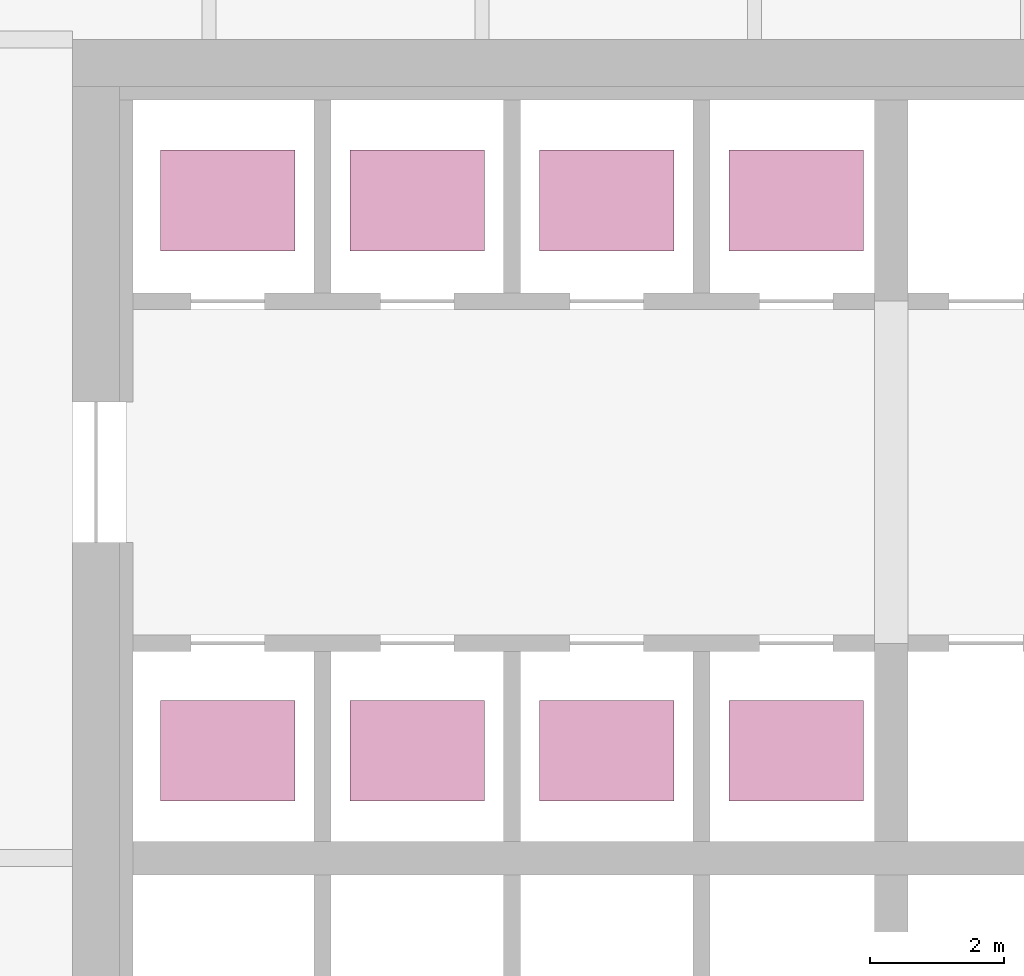
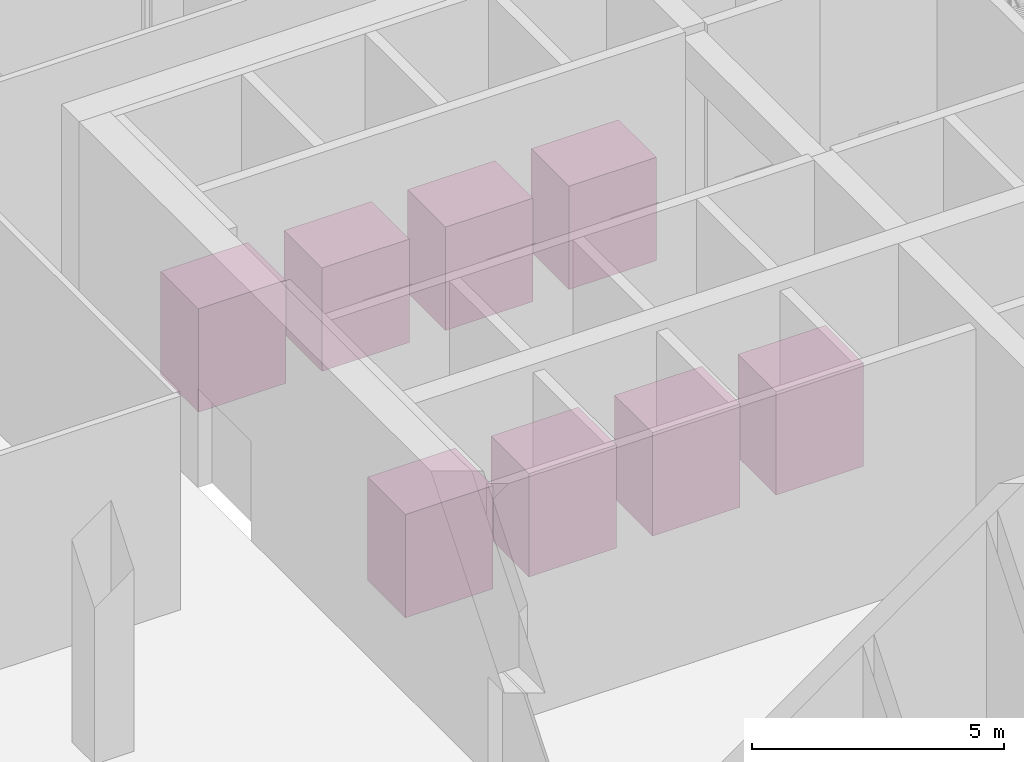
# One storey, part 36 of 36: 8 transport elements.
"""IFC4 building model written with IfcOpenShell, lengths in metres."""

import ifcopenshell
import ifcopenshell.guid

model = None  # the IFC model being written
_history = None  # IfcOwnerHistory: only IFC2X3 demands one
_inside = {}  # id of a spatial element -> (the spatial element, [elements in it])
_under = {}  # id of a project, library or spatial element -> (it, [spatial elements below it])
_declared = {}  # id of a project -> (the project, [libraries it declares])
_typed = {}  # id of a type object -> (the type object, [elements of that type])
_made_of = {}  # id of a material, layer set ... -> (it, [elements and type objects made of it])


def new_model(schema):
    """Start an empty IFC model of exactly this schema.

    Asked for "IFC4X3", IfcOpenShell would pick the latest addendum, in which some entities
    have other attributes; the version numbers below select the first issue.
    IFC2X3 requires an IfcOwnerHistory on every rooted entity: one is made here for all.
    """
    global model, _history
    if schema == "IFC4X3":
        model = ifcopenshell.file(schema_version=(4, 3, 0, 0))
    else:
        model = ifcopenshell.file(schema=schema)
    _inside.clear()
    _under.clear()
    _declared.clear()
    _typed.clear()
    _made_of.clear()
    _history = None
    if model.schema == "IFC2X3":
        org = make("IfcOrganization", Name="unknown")
        user = make(
            "IfcPersonAndOrganization",
            ThePerson=make("IfcPerson", FamilyName="unknown"),
            TheOrganization=org,
        )
        app = make(
            "IfcApplication",
            ApplicationDeveloper=org,
            Version="unknown",
            ApplicationFullName="unknown",
            ApplicationIdentifier="unknown",
        )
        _history = make(
            "IfcOwnerHistory",
            OwningUser=user,
            OwningApplication=app,
            ChangeAction="ADDED",
            CreationDate=0,
        )
    return model


def make(cls, **values):
    """One entity of the class cls with the attributes given. An attribute that is None is left unset."""
    return model.create_entity(
        cls, **{name: value for name, value in values.items() if value is not None}
    )


def rooted(cls, **values):
    """An entity with a GlobalId (a new one), such as an element, a storey or a relation."""
    return make(cls, GlobalId=ifcopenshell.guid.new(), OwnerHistory=_history, **values)


def si_unit(unit_type, name, prefix=None):
    """IfcSIUnit, for example si_unit("LENGTHUNIT", "METRE", prefix="MILLI")."""
    return make("IfcSIUnit", UnitType=unit_type, Prefix=prefix, Name=name)


def assignment(units):
    """IfcUnitAssignment: the units of a project."""
    return None if units is None else make("IfcUnitAssignment", Units=units)


def point(xyz):
    """IfcCartesianPoint."""
    return None if xyz is None else make("IfcCartesianPoint", Coordinates=xyz)


def direction(xyz):
    """IfcDirection."""
    return None if xyz is None else make("IfcDirection", DirectionRatios=xyz)


def frame(location, z_axis=None, x_axis=None):
    """IfcAxis2Placement3D, a coordinate frame: its origin and axes. An axis left out is left unset."""
    return make(
        "IfcAxis2Placement3D",
        Location=point(location),
        Axis=direction(z_axis),
        RefDirection=direction(x_axis),
    )


def frame_2d(location, x_axis=None):
    """IfcAxis2Placement2D, a coordinate frame in the plane: its origin and x axis."""
    return make(
        "IfcAxis2Placement2D", Location=point(location), RefDirection=direction(x_axis)
    )


def origin():
    """The frame at (0, 0, 0) with its axes left unset."""
    return frame((0.0, 0.0, 0.0))


def origin_2d():
    """The frame at (0, 0) in the plane with its x axis left unset."""
    return frame_2d((0.0, 0.0))


def place(relative_to, where):
    """IfcLocalPlacement: puts the frame where relative to a parent placement (None: the world)."""
    return make(
        "IfcLocalPlacement", PlacementRelTo=relative_to, RelativePlacement=where
    )


def context(
    kind, dimensions, precision=None, world=None, true_north=None, identifier=None
):
    """IfcGeometricRepresentationContext, for example the 3D "Model" context."""
    return make(
        "IfcGeometricRepresentationContext",
        ContextIdentifier=identifier,
        ContextType=kind,
        CoordinateSpaceDimension=dimensions,
        Precision=precision,
        WorldCoordinateSystem=world,
        TrueNorth=true_north,
    )


def subcontext(parent, identifier, kind, view, scale=None):
    """IfcGeometricRepresentationSubContext, for example "Body" below "Model"."""
    return make(
        "IfcGeometricRepresentationSubContext",
        ContextIdentifier=identifier,
        ContextType=kind,
        ParentContext=parent,
        TargetScale=scale,
        TargetView=view,
    )


def project(units=None, contexts=None):
    """IfcProject with its units and contexts."""
    return rooted(
        "IfcProject",
        Name="project",
        RepresentationContexts=contexts,
        UnitsInContext=assignment(units),
    )


def spatial(cls, under=None, at=None, **own):
    """A site, building, storey or space (cls), placed at a placement, below another one or the project."""
    s = rooted(cls, ObjectPlacement=at, **own)
    if under is not None:
        _under.setdefault(under.id(), (under, []))[1].append(s)
    return s


def profile(cls, at=None, kind="AREA", **sizes):
    """A parametric profile (cls). Its sizes go by their IFC names, for example OverallWidth=200.0."""
    return make(cls, ProfileType=kind, Position=at, **sizes)


def rectangle(**sizes):
    """IfcRectangleProfileDef."""
    return profile("IfcRectangleProfileDef", **sizes)


def extrude(swept, where, along, depth):
    """IfcExtrudedAreaSolid: the profile swept, set in the frame where, extruded along a direction by depth."""
    return make(
        "IfcExtrudedAreaSolid",
        SweptArea=swept,
        Position=where,
        ExtrudedDirection=direction(along),
        Depth=depth,
    )


def shape(context_of_items, identifier, shape_type, items):
    """IfcShapeRepresentation: the items that make up one representation, for example the "Body"."""
    return make(
        "IfcShapeRepresentation",
        ContextOfItems=context_of_items,
        RepresentationIdentifier=identifier,
        RepresentationType=shape_type,
        Items=items,
    )


def material(Name=None, Category=None):
    """IfcMaterial."""
    return make("IfcMaterial", Name=Name, Category=Category)


def made_of(thing, what):
    """Note that an element or type object is made of a material, layer set ...; save() writes the relation."""
    if what is not None:
        _made_of.setdefault(what.id(), (what, []))[1].append(thing)
    return thing


def type_object(cls, material=None, **own):
    """A type object (cls), such as IfcWallType, which elements share."""
    return made_of(rooted(cls, **own), material)


def element(
    cls,
    number,
    at=None,
    inside=None,
    cuts=None,
    type_object=None,
    material=None,
    context=None,
    identifier="Body",
    shape_type=None,
    held_by="IfcProductDefinitionShape",
    body=None,
    shapes=None,
    **own,
):
    """One element of the class cls, such as IfcWall. Its Tag is "e" and its number.

    at: its placement. inside: the storey or other place that contains it. cuts: it is an
    opening in that element (IfcRelVoidsElement). A single representation is given by context,
    identifier, shape_type and body (its items); several are given by shapes. held_by: the class
    of the entity that holds the representations. save() writes the other relations.
    """
    e = rooted(cls, Tag="e%d" % number, ObjectPlacement=at, **own)
    if body is not None:
        shapes = [shape(context, identifier, shape_type, body)]
    if shapes is not None:
        e.Representation = make(held_by, Representations=shapes)
    if inside is not None:
        _inside.setdefault(inside.id(), (inside, []))[1].append(e)
    if cuts is not None:
        rooted(
            "IfcRelVoidsElement", RelatingBuildingElement=cuts, RelatedOpeningElement=e
        )
    if type_object is not None:
        _typed.setdefault(type_object.id(), (type_object, []))[1].append(e)
    return made_of(e, material)


def aggregate(whole, parts):
    """IfcRelAggregates: a whole, such as a stair, and the parts it consists of."""
    return rooted("IfcRelAggregates", RelatingObject=whole, RelatedObjects=parts)


def save(model, path):
    """Write the relations noted so far, then the file.

    IfcRelAggregates (storeys below a building ...), IfcRelContainedInSpatialStructure (elements
    in a storey), IfcRelDefinesByType, IfcRelAssociatesMaterial and IfcRelDeclares: one each for
    every whole, place, type object, material and project.
    """
    for whole, parts in _under.values():
        aggregate(whole, parts)
    for where, things in _inside.values():
        rooted(
            "IfcRelContainedInSpatialStructure",
            RelatedElements=things,
            RelatingStructure=where,
        )
    for kind, things in _typed.values():
        rooted("IfcRelDefinesByType", RelatedObjects=things, RelatingType=kind)
    for what, things in _made_of.values():
        rooted("IfcRelAssociatesMaterial", RelatedObjects=things, RelatingMaterial=what)
    for by, libraries in _declared.values():
        rooted("IfcRelDeclares", RelatingContext=by, RelatedDefinitions=libraries)
    model.write(path)


model = new_model("IFC4")

# Units and contexts
model_context = context("Model", 3, precision=1e-05, world=origin(), true_north=direction((0.0, 1.0)))
body_context = subcontext(model_context, "Body", "Model", "MODEL_VIEW")
ifc_project = project(units=[si_unit("LENGTHUNIT", "METRE"), si_unit("AREAUNIT", "SQUARE_METRE"), si_unit("VOLUMEUNIT", "CUBIC_METRE"), si_unit("PLANEANGLEUNIT", "RADIAN"), si_unit("MASSUNIT", "GRAM", prefix="KILO")], contexts=[model_context])

# Site, building, storey
site_placement = place(None, origin())
site = spatial("IfcSite", under=ifc_project, at=site_placement, CompositionType="ELEMENT")
building_placement = place(site_placement, origin())
building = spatial("IfcBuilding", under=site, at=building_placement, Name="Tessera Gate Towers", CompositionType="ELEMENT")
storey_placement = place(building_placement, frame((0.0, 0.0, 106.60009765625)))
storey = spatial("IfcBuildingStorey", under=building, at=storey_placement, Name="L26", CompositionType="ELEMENT", Elevation=106.60009765625)

# Transport elements
ifc_material = material(Name="Stainless steel", Category="steel")
transport_element_type = type_object("IfcTransportElementType", Name="LIFT CAR 2000x1500 HR", PredefinedType="ELEVATOR", material=ifc_material)
for number, where, z_axis, x_axis, name in (
    (1, (32.8125, 38.199951171875, 0.0), (0.0, 0.0, 1.0), (1.0, 0.0, 0.0), "High-rise Passenger Lift HR1"),
    (2, (35.637451171875, 38.199951171875, 0.0), (0.0, 0.0, 1.0), (1.0, 0.0, 0.0), "High-rise Passenger Lift HR2"),
    (3, (38.46240234375, 38.199951171875, 0.0), (0.0, 0.0, 1.0), (1.0, 0.0, 0.0), "High-rise Passenger Lift HR3"),
    (4, (41.28759765625, 38.199951171875, 0.0), (0.0, 0.0, 1.0), (1.0, 0.0, 0.0), "High-rise Passenger Lift HR4"),
    (5, (32.8125, 46.39990234375, 0.0), (0.0, 0.0, 1.0), (1.0, 0.0, 0.0), "High-rise Passenger Lift HR5"),
    (6, (35.637451171875, 46.39990234375, 0.0), (0.0, 0.0, 1.0), (1.0, 0.0, 0.0), "High-rise Passenger Lift HR6"),
    (7, (38.46240234375, 46.39990234375, 0.0), (0.0, 0.0, 1.0), (1.0, 0.0, 0.0), "High-rise Passenger Lift HR7"),
    (8, (41.28759765625, 46.39990234375, 0.0), (0.0, 0.0, 1.0), (1.0, 0.0, 0.0), "High-rise Passenger Lift HR8"),
):
    element("IfcTransportElement", number, at=place(storey_placement, frame(where, z_axis=z_axis, x_axis=x_axis)), inside=storey, type_object=transport_element_type, Name=name, PredefinedType="ELEVATOR", context=body_context, shape_type="SweptSolid", body=[
        extrude(rectangle(XDim=2.0, YDim=1.5, at=origin_2d()), origin(), (0.0, 0.0, 1.0), 2.5),
    ])

save(model, "model.ifc")
